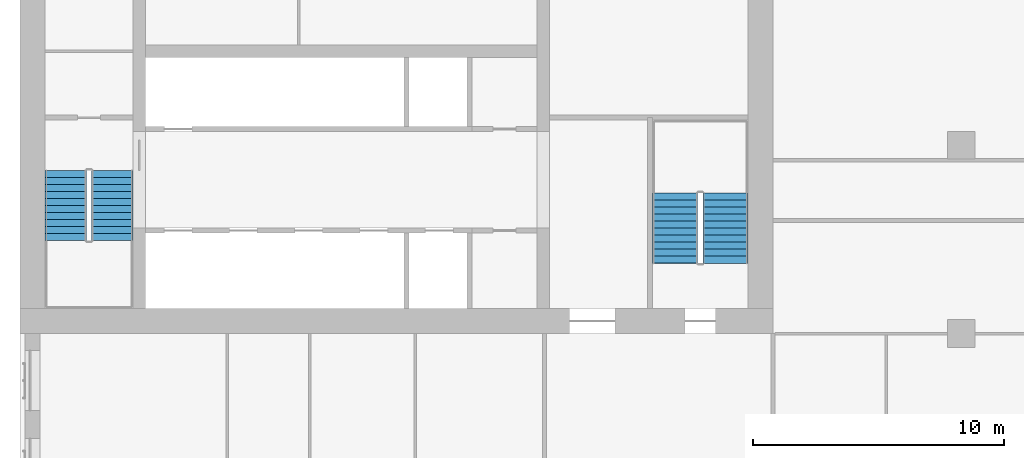
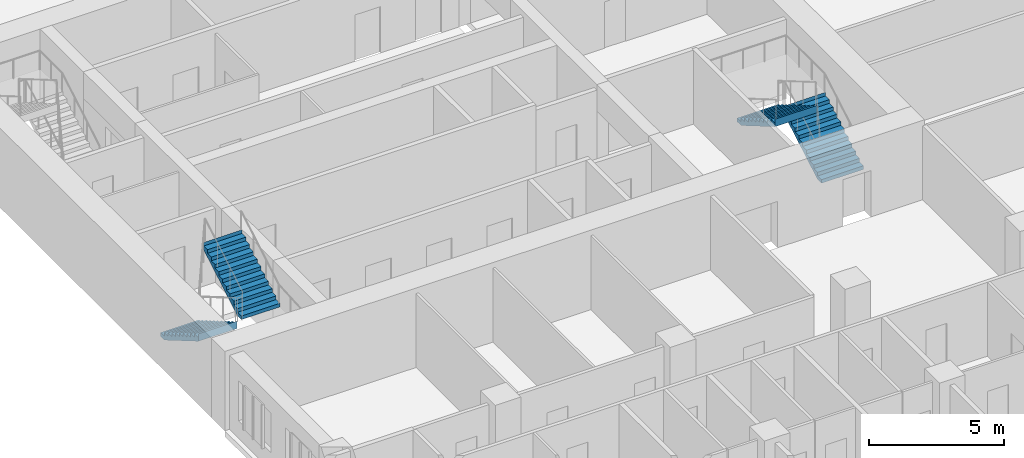
# One storey, part 13 of 15: 4 stair flights, 2 elements without a shape of their own.
"""IFC4 building model written with IfcOpenShell, lengths in metres."""

from ifc_helpers import new_model, si_unit, direction, frame, origin, place, context, subcontext, project, spatial, polyline, outline, extrude, material, type_object, element, aggregate, save


model = new_model("IFC4")

# Units and contexts
model_context = context("Model", 3, precision=1e-05, world=origin(), true_north=direction((0.0, 1.0)))
body_context = subcontext(model_context, "Body", "Model", "MODEL_VIEW")
ifc_project = project(units=[si_unit("LENGTHUNIT", "METRE"), si_unit("AREAUNIT", "SQUARE_METRE"), si_unit("VOLUMEUNIT", "CUBIC_METRE"), si_unit("PLANEANGLEUNIT", "RADIAN"), si_unit("MASSUNIT", "GRAM", prefix="KILO")], contexts=[model_context])

# Site, building, storey
site_placement = place(None, origin())
site = spatial("IfcSite", under=ifc_project, at=site_placement, CompositionType="ELEMENT")
building_placement = place(site_placement, origin())
building = spatial("IfcBuilding", under=site, at=building_placement, Name="Tamorin Gate", CompositionType="ELEMENT")
storey_placement = place(building_placement, frame((0.0, 0.0, 82.699951171875)))
storey = spatial("IfcBuildingStorey", under=building, at=storey_placement, Name="L19", CompositionType="ELEMENT", Elevation=82.699951171875)

# Stair, stair flights
ifc_material = material(Name="Concrete C40/50", Category="concrete")
stair_type = type_object("IfcStairType", Name="Exit stair", PredefinedType="HALF_TURN_STAIR", material=ifc_material)
stair_1_placement = place(storey_placement, origin())
stair_1 = element("IfcStair", 1, at=stair_1_placement, inside=storey, type_object=stair_type, Name="L19 stair ST1", PredefinedType="HALF_TURN_STAIR")
stair_flight_type = type_object("IfcStairFlightType", Name="Exit stair flight", PredefinedType="STRAIGHT", material=ifc_material)
stair_flight_1_placement = place(storey_placement, frame((31.824951171875, 66.5, 0.0), z_axis=(0.0, 0.0, 1.0), x_axis=(0.0, -1.0, 0.0)))
stair_flight_1 = element("IfcStairFlight", 2, at=stair_flight_1_placement, type_object=stair_flight_type, Name="ST1 flight 1", NumberOfRisers=11, NumberOfTreads=10, PredefinedType="STRAIGHT", RiserHeight=0.163636364, TreadLength=0.28, context=body_context, shape_type="SweptSolid", body=[
    extrude(outline(polyline([(-0.00048828125, 0.0), (-0.00048828125, 0.001708984375), (-0.00048828125, 0.003173828125), (-0.00048828125, 0.0048828125), (-0.00048828125, 0.006591796875), (-0.00048828125, 0.008056640625), (-0.00048828125, 0.009765625), (-0.00048828125, 0.01123046875), (-0.00048828125, 0.012939453125), (-0.00048828125, 0.0146484375), (-0.00048828125, 0.01611328125), (-0.00048828125, 0.017822265625), (-0.00048828125, 0.01953125), (-0.00048828125, 0.02099609375), (-0.00048828125, 0.022705078125), (-0.00048828125, 0.0244140625), (-0.00048828125, 0.02587890625), (-0.00048828125, 0.027587890625), (-0.00048828125, 0.029052734375), (-0.00048828125, 0.03076171875), (-0.00048828125, 0.032470703125), (-0.00048828125, 0.033935546875), (-0.00048828125, 0.03564453125), (-0.00048828125, 0.037353515625), (-0.00048828125, 0.038818359375), (-0.00048828125, 0.04052734375), (-0.00048828125, 0.042236328125), (-0.00048828125, 0.043701171875), (-0.00048828125, 0.04541015625), (-0.00048828125, 0.046875), (-0.00048828125, 0.048583984375), (-0.00048828125, 0.05029296875), (-0.00048828125, 0.0517578125), (-0.00048828125, 0.053466796875), (-0.00048828125, 0.05517578125), (-0.00048828125, 0.056640625), (-0.00048828125, 0.058349609375), (-0.00048828125, 0.06005859375), (-0.00048828125, 0.0615234375), (-0.00048828125, 0.063232421875), (-0.00048828125, 0.064697265625), (-0.00048828125, 0.06640625), (-0.00048828125, 0.068115234375), (-0.00048828125, 0.069580078125), (-0.00048828125, 0.0712890625), (-0.00048828125, 0.072998046875), (-0.00048828125, 0.074462890625), (-0.00048828125, 0.076171875), (-0.00048828125, 0.077880859375), (-0.00048828125, 0.079345703125), (-0.00048828125, 0.0810546875), (-0.00048828125, 0.08251953125), (-0.00048828125, 0.084228515625), (-0.00048828125, 0.0859375), (-0.00048828125, 0.08740234375), (-0.00048828125, 0.089111328125), (-0.00048828125, 0.0908203125), (-0.00048828125, 0.09228515625), (-0.00048828125, 0.093994140625), (-0.00048828125, 0.095703125), (-0.00048828125, 0.09716796875), (-0.00048828125, 0.098876953125), (-0.00048828125, 0.100341796875), (-0.00048828125, 0.10205078125), (-0.00048828125, 0.103759765625), (-0.00048828125, 0.105224609375), (-0.00048828125, 0.10693359375), (-0.00048828125, 0.108642578125), (-0.00048828125, 0.110107421875), (-0.00048828125, 0.11181640625), (-0.00048828125, 0.113525390625), (-0.00048828125, 0.114990234375), (-0.00048828125, 0.11669921875), (-0.00048828125, 0.1181640625), (-0.00048828125, 0.119873046875), (-0.00048828125, 0.12158203125), (-0.00048828125, 0.123046875), (-0.00048828125, 0.124755859375), (-0.00048828125, 0.12646484375), (-0.00048828125, 0.1279296875), (-0.00048828125, 0.129638671875), (-0.00048828125, 0.13134765625), (-0.00048828125, 0.1328125), (-0.00048828125, 0.134521484375), (-0.00048828125, 0.135986328125), (-0.00048828125, 0.1376953125), (-0.00048828125, 0.139404296875), (-0.00048828125, 0.140869140625), (-0.00048828125, 0.142578125), (-0.00048828125, 0.144287109375), (-0.00048828125, 0.145751953125), (-0.00048828125, 0.1474609375), (-0.00048828125, 0.149169921875), (-0.00048828125, 0.150634765625), (-0.00048828125, 0.15234375), (-0.00048828125, 0.15380859375), (-0.00048828125, 0.155517578125), (-0.00048828125, 0.1572265625), (-0.00048828125, 0.15869140625), (-0.00048828125, 0.160400390625), (-0.00048828125, 0.162109375), (-0.00048828125, 0.16357421875), (0.280029296875, 0.16357421875), (0.280029296875, 0.327392578125), (0.56005859375, 0.327392578125), (0.56005859375, 0.490966796875), (0.840087890625, 0.490966796875), (0.840087890625, 0.654541015625), (1.1201171875, 0.654541015625), (1.1201171875, 0.818115234375), (1.39990234375, 0.818115234375), (1.39990234375, 0.98193359375), (1.679931640625, 0.98193359375), (1.679931640625, 1.1455078125), (1.9599609375, 1.1455078125), (1.9599609375, 1.30908203125), (2.239990234375, 1.30908203125), (2.239990234375, 1.47265625), (2.52001953125, 1.47265625), (2.52001953125, 1.636474609375), (2.800048828125, 1.636474609375), (2.800048828125, 1.800048828125), (2.800537109375, 1.800048828125), (2.800537109375, 1.796630859375), (2.800537109375, 1.793212890625), (2.800537109375, 1.7900390625), (2.800537109375, 1.78662109375), (2.800537109375, 1.783203125), (2.800537109375, 1.780029296875), (2.800537109375, 1.776611328125), (2.800537109375, 1.773193359375), (2.800537109375, 1.77001953125), (2.800537109375, 1.7666015625), (2.800537109375, 1.76318359375), (2.800537109375, 1.760009765625), (2.800537109375, 1.756591796875), (2.800537109375, 1.753173828125), (2.800537109375, 1.75), (2.800537109375, 1.74658203125), (2.800537109375, 1.7431640625), (2.800537109375, 1.739990234375), (2.800537109375, 1.736572265625), (2.800537109375, 1.733154296875), (2.800537109375, 1.72998046875), (2.800537109375, 1.7265625), (2.800537109375, 1.72314453125), (2.800537109375, 1.719970703125), (2.800537109375, 1.716552734375), (2.800537109375, 1.713134765625), (2.800537109375, 1.7099609375), (2.800537109375, 1.70654296875), (2.800537109375, 1.703125), (2.800537109375, 1.69970703125), (2.800537109375, 1.696533203125), (2.800537109375, 1.693115234375), (2.800537109375, 1.689697265625), (2.800537109375, 1.6865234375), (2.800537109375, 1.68310546875), (2.800537109375, 1.6796875), (2.800537109375, 1.676513671875), (2.800537109375, 1.673095703125), (2.800537109375, 1.669677734375), (2.800537109375, 1.66650390625), (2.800537109375, 1.6630859375), (2.800537109375, 1.65966796875), (2.800537109375, 1.656494140625), (2.800537109375, 1.653076171875), (2.800537109375, 1.649658203125), (2.800537109375, 1.646484375), (2.800537109375, 1.64306640625), (2.800537109375, 1.6396484375), (2.800537109375, 1.636474609375), (2.800537109375, 1.633056640625), (2.800537109375, 1.629638671875), (2.800537109375, 1.62646484375), (2.800537109375, 1.623046875), (2.800537109375, 1.61962890625), (2.800537109375, 1.616455078125), (2.800537109375, 1.613037109375), (2.800537109375, 1.609619140625), (2.800537109375, 1.6064453125), (2.800537109375, 1.60302734375), (2.800537109375, 1.599609375), (2.800537109375, 1.59619140625), (2.800537109375, 1.593017578125), (2.800537109375, 1.589599609375), (2.800537109375, 1.586181640625), (2.800537109375, 1.5830078125), (2.800537109375, 1.57958984375), (2.800537109375, 1.576171875), (2.800537109375, 1.572998046875), (2.800537109375, 1.569580078125), (2.800537109375, 1.566162109375), (2.800537109375, 1.56298828125), (2.800537109375, 1.5595703125), (2.800537109375, 1.55615234375), (2.800537109375, 1.552978515625), (2.800537109375, 1.549560546875), (2.800537109375, 1.546142578125), (2.800537109375, 1.54296875), (2.800537109375, 1.53955078125), (2.800537109375, 1.5361328125), (2.800537109375, 1.532958984375), (2.800537109375, 1.529541015625), (2.800537109375, 1.526123046875), (2.800537109375, 1.52294921875), (2.800537109375, 1.51953125), (2.800537109375, 1.51611328125), (2.800537109375, 1.512939453125), (2.800537109375, 1.509521484375), (2.800537109375, 1.506103515625), (2.800537109375, 1.5029296875), (2.800537109375, 1.49951171875), (2.800537109375, 1.49609375), (2.800537109375, 1.49267578125), (2.800537109375, 1.489501953125), (2.800537109375, 1.486083984375), (2.800537109375, 1.482666015625), (2.800537109375, 1.4794921875), (2.800537109375, 1.47607421875), (2.800537109375, 1.47265625), (2.800537109375, 1.469482421875), (2.800537109375, 1.466064453125), (2.800537109375, 1.462646484375), (2.800048828125, 1.462646484375), (0.297119140625, 0.0), (-0.00048828125, 0.0)])), frame((0.0, 0.824951171875, 0.0), z_axis=(0.0, -1.0, 0.0), x_axis=(1.0, 0.0, 0.0)), (0.0, 0.0, 1.0), 1.64990234375),
])
stair_flight_2_placement = place(storey_placement, frame((33.675048828125, 63.699951171875, 1.800048828125), z_axis=(0.0, 0.0, 1.0), x_axis=(0.0, 1.0, 0.0)))
stair_flight_2 = element("IfcStairFlight", 3, at=stair_flight_2_placement, type_object=stair_flight_type, Name="ST1 flight 2", NumberOfRisers=11, NumberOfTreads=10, PredefinedType="STRAIGHT", RiserHeight=0.163636364, TreadLength=0.28, context=body_context, shape_type="SweptSolid", body=[
    extrude(outline(polyline([(-0.00048828125, 0.0), (-0.00048828125, 0.001708984375), (-0.00048828125, 0.003173828125), (-0.00048828125, 0.0048828125), (-0.00048828125, 0.006591796875), (-0.00048828125, 0.008056640625), (-0.00048828125, 0.009765625), (-0.00048828125, 0.01123046875), (-0.00048828125, 0.012939453125), (-0.00048828125, 0.0146484375), (-0.00048828125, 0.01611328125), (-0.00048828125, 0.017822265625), (-0.00048828125, 0.01953125), (-0.00048828125, 0.02099609375), (-0.00048828125, 0.022705078125), (-0.00048828125, 0.0244140625), (-0.00048828125, 0.02587890625), (-0.00048828125, 0.027587890625), (-0.00048828125, 0.029052734375), (-0.00048828125, 0.03076171875), (-0.00048828125, 0.032470703125), (-0.00048828125, 0.033935546875), (-0.00048828125, 0.03564453125), (-0.00048828125, 0.037353515625), (-0.00048828125, 0.038818359375), (-0.00048828125, 0.04052734375), (-0.00048828125, 0.042236328125), (-0.00048828125, 0.043701171875), (-0.00048828125, 0.04541015625), (-0.00048828125, 0.046875), (-0.00048828125, 0.048583984375), (-0.00048828125, 0.05029296875), (-0.00048828125, 0.0517578125), (-0.00048828125, 0.053466796875), (-0.00048828125, 0.05517578125), (-0.00048828125, 0.056640625), (-0.00048828125, 0.058349609375), (-0.00048828125, 0.06005859375), (-0.00048828125, 0.0615234375), (-0.00048828125, 0.063232421875), (-0.00048828125, 0.064697265625), (-0.00048828125, 0.06640625), (-0.00048828125, 0.068115234375), (-0.00048828125, 0.069580078125), (-0.00048828125, 0.0712890625), (-0.00048828125, 0.072998046875), (-0.00048828125, 0.074462890625), (-0.00048828125, 0.076171875), (-0.00048828125, 0.077880859375), (-0.00048828125, 0.079345703125), (-0.00048828125, 0.0810546875), (-0.00048828125, 0.08251953125), (-0.00048828125, 0.084228515625), (-0.00048828125, 0.0859375), (-0.00048828125, 0.08740234375), (-0.00048828125, 0.089111328125), (-0.00048828125, 0.0908203125), (-0.00048828125, 0.09228515625), (-0.00048828125, 0.093994140625), (-0.00048828125, 0.095703125), (-0.00048828125, 0.09716796875), (-0.00048828125, 0.098876953125), (-0.00048828125, 0.100341796875), (-0.00048828125, 0.10205078125), (-0.00048828125, 0.103759765625), (-0.00048828125, 0.105224609375), (-0.00048828125, 0.10693359375), (-0.00048828125, 0.108642578125), (-0.00048828125, 0.110107421875), (-0.00048828125, 0.11181640625), (-0.00048828125, 0.113525390625), (-0.00048828125, 0.114990234375), (-0.00048828125, 0.11669921875), (-0.00048828125, 0.1181640625), (-0.00048828125, 0.119873046875), (-0.00048828125, 0.12158203125), (-0.00048828125, 0.123046875), (-0.00048828125, 0.124755859375), (-0.00048828125, 0.12646484375), (-0.00048828125, 0.1279296875), (-0.00048828125, 0.129638671875), (-0.00048828125, 0.13134765625), (-0.00048828125, 0.1328125), (-0.00048828125, 0.134521484375), (-0.00048828125, 0.135986328125), (-0.00048828125, 0.1376953125), (-0.00048828125, 0.139404296875), (-0.00048828125, 0.140869140625), (-0.00048828125, 0.142578125), (-0.00048828125, 0.144287109375), (-0.00048828125, 0.145751953125), (-0.00048828125, 0.1474609375), (-0.00048828125, 0.149169921875), (-0.00048828125, 0.150634765625), (-0.00048828125, 0.15234375), (-0.00048828125, 0.15380859375), (-0.00048828125, 0.155517578125), (-0.00048828125, 0.1572265625), (-0.00048828125, 0.15869140625), (-0.00048828125, 0.160400390625), (-0.00048828125, 0.162109375), (-0.00048828125, 0.16357421875), (0.280029296875, 0.16357421875), (0.280029296875, 0.327392578125), (0.56005859375, 0.327392578125), (0.56005859375, 0.490966796875), (0.840087890625, 0.490966796875), (0.840087890625, 0.654541015625), (1.1201171875, 0.654541015625), (1.1201171875, 0.818115234375), (1.39990234375, 0.818115234375), (1.39990234375, 0.98193359375), (1.679931640625, 0.98193359375), (1.679931640625, 1.1455078125), (1.9599609375, 1.1455078125), (1.9599609375, 1.30908203125), (2.239990234375, 1.30908203125), (2.239990234375, 1.47265625), (2.52001953125, 1.47265625), (2.52001953125, 1.636474609375), (2.800048828125, 1.636474609375), (2.800048828125, 1.800048828125), (2.800537109375, 1.800048828125), (2.800537109375, 1.796630859375), (2.800537109375, 1.793212890625), (2.800537109375, 1.7900390625), (2.800537109375, 1.78662109375), (2.800537109375, 1.783203125), (2.800537109375, 1.780029296875), (2.800537109375, 1.776611328125), (2.800537109375, 1.773193359375), (2.800537109375, 1.77001953125), (2.800537109375, 1.7666015625), (2.800537109375, 1.76318359375), (2.800537109375, 1.760009765625), (2.800537109375, 1.756591796875), (2.800537109375, 1.753173828125), (2.800537109375, 1.75), (2.800537109375, 1.74658203125), (2.800537109375, 1.7431640625), (2.800537109375, 1.739990234375), (2.800537109375, 1.736572265625), (2.800537109375, 1.733154296875), (2.800537109375, 1.72998046875), (2.800537109375, 1.7265625), (2.800537109375, 1.72314453125), (2.800537109375, 1.719970703125), (2.800537109375, 1.716552734375), (2.800537109375, 1.713134765625), (2.800537109375, 1.7099609375), (2.800537109375, 1.70654296875), (2.800537109375, 1.703125), (2.800537109375, 1.69970703125), (2.800537109375, 1.696533203125), (2.800537109375, 1.693115234375), (2.800537109375, 1.689697265625), (2.800537109375, 1.6865234375), (2.800537109375, 1.68310546875), (2.800537109375, 1.6796875), (2.800537109375, 1.676513671875), (2.800537109375, 1.673095703125), (2.800537109375, 1.669677734375), (2.800537109375, 1.66650390625), (2.800537109375, 1.6630859375), (2.800537109375, 1.65966796875), (2.800537109375, 1.656494140625), (2.800537109375, 1.653076171875), (2.800537109375, 1.649658203125), (2.800537109375, 1.646484375), (2.800537109375, 1.64306640625), (2.800537109375, 1.6396484375), (2.800537109375, 1.636474609375), (2.800537109375, 1.633056640625), (2.800537109375, 1.629638671875), (2.800537109375, 1.62646484375), (2.800537109375, 1.623046875), (2.800537109375, 1.61962890625), (2.800537109375, 1.616455078125), (2.800537109375, 1.613037109375), (2.800537109375, 1.609619140625), (2.800537109375, 1.6064453125), (2.800537109375, 1.60302734375), (2.800537109375, 1.599609375), (2.800537109375, 1.59619140625), (2.800537109375, 1.593017578125), (2.800537109375, 1.589599609375), (2.800537109375, 1.586181640625), (2.800537109375, 1.5830078125), (2.800537109375, 1.57958984375), (2.800537109375, 1.576171875), (2.800537109375, 1.572998046875), (2.800537109375, 1.569580078125), (2.800537109375, 1.566162109375), (2.800537109375, 1.56298828125), (2.800537109375, 1.5595703125), (2.800537109375, 1.55615234375), (2.800537109375, 1.552978515625), (2.800537109375, 1.549560546875), (2.800537109375, 1.546142578125), (2.800537109375, 1.54296875), (2.800537109375, 1.53955078125), (2.800537109375, 1.5361328125), (2.800537109375, 1.532958984375), (2.800537109375, 1.529541015625), (2.800537109375, 1.526123046875), (2.800537109375, 1.52294921875), (2.800537109375, 1.51953125), (2.800537109375, 1.51611328125), (2.800537109375, 1.512939453125), (2.800537109375, 1.509521484375), (2.800537109375, 1.506103515625), (2.800537109375, 1.5029296875), (2.800537109375, 1.49951171875), (2.800537109375, 1.49609375), (2.800537109375, 1.49267578125), (2.800537109375, 1.489501953125), (2.800537109375, 1.486083984375), (2.800537109375, 1.482666015625), (2.800537109375, 1.4794921875), (2.800537109375, 1.47607421875), (2.800537109375, 1.47265625), (2.800537109375, 1.469482421875), (2.800537109375, 1.466064453125), (2.800537109375, 1.462646484375), (2.800048828125, 1.462646484375), (0.297119140625, 0.0), (-0.00048828125, 0.0)])), frame((0.0, 0.824951171875, 0.0), z_axis=(0.0, -1.0, 0.0), x_axis=(1.0, 0.0, 0.0)), (0.0, 0.0, 1.0), 1.64990234375),
])
aggregate(stair_1, [stair_flight_1, stair_flight_2])

stair_2_placement = place(storey_placement, origin())
stair_2 = element("IfcStair", 4, at=stair_2_placement, inside=storey, type_object=stair_type, Name="L19 stair ST3", PredefinedType="HALF_TURN_STAIR")
stair_flight_3_placement = place(storey_placement, frame((58.10009765625, 62.800048828125, 0.0), z_axis=(0.0, 0.0, 1.0), x_axis=(0.0, 1.0, 0.0)))
stair_flight_3 = element("IfcStairFlight", 5, at=stair_flight_3_placement, type_object=stair_flight_type, Name="ST3 flight 1", NumberOfRisers=11, NumberOfTreads=10, PredefinedType="STRAIGHT", RiserHeight=0.163636364, TreadLength=0.28, context=body_context, shape_type="SweptSolid", body=[
    extrude(outline(polyline([(-0.00048828125, 0.0), (-0.00048828125, 0.001708984375), (-0.00048828125, 0.003173828125), (-0.00048828125, 0.0048828125), (-0.00048828125, 0.006591796875), (-0.00048828125, 0.008056640625), (-0.00048828125, 0.009765625), (-0.00048828125, 0.01123046875), (-0.00048828125, 0.012939453125), (-0.00048828125, 0.0146484375), (-0.00048828125, 0.01611328125), (-0.00048828125, 0.017822265625), (-0.00048828125, 0.01953125), (-0.00048828125, 0.02099609375), (-0.00048828125, 0.022705078125), (-0.00048828125, 0.0244140625), (-0.00048828125, 0.02587890625), (-0.00048828125, 0.027587890625), (-0.00048828125, 0.029052734375), (-0.00048828125, 0.03076171875), (-0.00048828125, 0.032470703125), (-0.00048828125, 0.033935546875), (-0.00048828125, 0.03564453125), (-0.00048828125, 0.037353515625), (-0.00048828125, 0.038818359375), (-0.00048828125, 0.04052734375), (-0.00048828125, 0.042236328125), (-0.00048828125, 0.043701171875), (-0.00048828125, 0.04541015625), (-0.00048828125, 0.046875), (-0.00048828125, 0.048583984375), (-0.00048828125, 0.05029296875), (-0.00048828125, 0.0517578125), (-0.00048828125, 0.053466796875), (-0.00048828125, 0.05517578125), (-0.00048828125, 0.056640625), (-0.00048828125, 0.058349609375), (-0.00048828125, 0.06005859375), (-0.00048828125, 0.0615234375), (-0.00048828125, 0.063232421875), (-0.00048828125, 0.064697265625), (-0.00048828125, 0.06640625), (-0.00048828125, 0.068115234375), (-0.00048828125, 0.069580078125), (-0.00048828125, 0.0712890625), (-0.00048828125, 0.072998046875), (-0.00048828125, 0.074462890625), (-0.00048828125, 0.076171875), (-0.00048828125, 0.077880859375), (-0.00048828125, 0.079345703125), (-0.00048828125, 0.0810546875), (-0.00048828125, 0.08251953125), (-0.00048828125, 0.084228515625), (-0.00048828125, 0.0859375), (-0.00048828125, 0.08740234375), (-0.00048828125, 0.089111328125), (-0.00048828125, 0.0908203125), (-0.00048828125, 0.09228515625), (-0.00048828125, 0.093994140625), (-0.00048828125, 0.095703125), (-0.00048828125, 0.09716796875), (-0.00048828125, 0.098876953125), (-0.00048828125, 0.100341796875), (-0.00048828125, 0.10205078125), (-0.00048828125, 0.103759765625), (-0.00048828125, 0.105224609375), (-0.00048828125, 0.10693359375), (-0.00048828125, 0.108642578125), (-0.00048828125, 0.110107421875), (-0.00048828125, 0.11181640625), (-0.00048828125, 0.113525390625), (-0.00048828125, 0.114990234375), (-0.00048828125, 0.11669921875), (-0.00048828125, 0.1181640625), (-0.00048828125, 0.119873046875), (-0.00048828125, 0.12158203125), (-0.00048828125, 0.123046875), (-0.00048828125, 0.124755859375), (-0.00048828125, 0.12646484375), (-0.00048828125, 0.1279296875), (-0.00048828125, 0.129638671875), (-0.00048828125, 0.13134765625), (-0.00048828125, 0.1328125), (-0.00048828125, 0.134521484375), (-0.00048828125, 0.135986328125), (-0.00048828125, 0.1376953125), (-0.00048828125, 0.139404296875), (-0.00048828125, 0.140869140625), (-0.00048828125, 0.142578125), (-0.00048828125, 0.144287109375), (-0.00048828125, 0.145751953125), (-0.00048828125, 0.1474609375), (-0.00048828125, 0.149169921875), (-0.00048828125, 0.150634765625), (-0.00048828125, 0.15234375), (-0.00048828125, 0.15380859375), (-0.00048828125, 0.155517578125), (-0.00048828125, 0.1572265625), (-0.00048828125, 0.15869140625), (-0.00048828125, 0.160400390625), (-0.00048828125, 0.162109375), (-0.00048828125, 0.16357421875), (0.280029296875, 0.16357421875), (0.280029296875, 0.327392578125), (0.56005859375, 0.327392578125), (0.56005859375, 0.490966796875), (0.840087890625, 0.490966796875), (0.840087890625, 0.654541015625), (1.1201171875, 0.654541015625), (1.1201171875, 0.818115234375), (1.39990234375, 0.818115234375), (1.39990234375, 0.98193359375), (1.679931640625, 0.98193359375), (1.679931640625, 1.1455078125), (1.9599609375, 1.1455078125), (1.9599609375, 1.30908203125), (2.239990234375, 1.30908203125), (2.239990234375, 1.47265625), (2.52001953125, 1.47265625), (2.52001953125, 1.636474609375), (2.800048828125, 1.636474609375), (2.800048828125, 1.800048828125), (2.800537109375, 1.800048828125), (2.800537109375, 1.796630859375), (2.800537109375, 1.793212890625), (2.800537109375, 1.7900390625), (2.800537109375, 1.78662109375), (2.800537109375, 1.783203125), (2.800537109375, 1.780029296875), (2.800537109375, 1.776611328125), (2.800537109375, 1.773193359375), (2.800537109375, 1.77001953125), (2.800537109375, 1.7666015625), (2.800537109375, 1.76318359375), (2.800537109375, 1.760009765625), (2.800537109375, 1.756591796875), (2.800537109375, 1.753173828125), (2.800537109375, 1.75), (2.800537109375, 1.74658203125), (2.800537109375, 1.7431640625), (2.800537109375, 1.739990234375), (2.800537109375, 1.736572265625), (2.800537109375, 1.733154296875), (2.800537109375, 1.72998046875), (2.800537109375, 1.7265625), (2.800537109375, 1.72314453125), (2.800537109375, 1.719970703125), (2.800537109375, 1.716552734375), (2.800537109375, 1.713134765625), (2.800537109375, 1.7099609375), (2.800537109375, 1.70654296875), (2.800537109375, 1.703125), (2.800537109375, 1.69970703125), (2.800537109375, 1.696533203125), (2.800537109375, 1.693115234375), (2.800537109375, 1.689697265625), (2.800537109375, 1.6865234375), (2.800537109375, 1.68310546875), (2.800537109375, 1.6796875), (2.800537109375, 1.676513671875), (2.800537109375, 1.673095703125), (2.800537109375, 1.669677734375), (2.800537109375, 1.66650390625), (2.800537109375, 1.6630859375), (2.800537109375, 1.65966796875), (2.800537109375, 1.656494140625), (2.800537109375, 1.653076171875), (2.800537109375, 1.649658203125), (2.800537109375, 1.646484375), (2.800537109375, 1.64306640625), (2.800537109375, 1.6396484375), (2.800537109375, 1.636474609375), (2.800537109375, 1.633056640625), (2.800537109375, 1.629638671875), (2.800537109375, 1.62646484375), (2.800537109375, 1.623046875), (2.800537109375, 1.61962890625), (2.800537109375, 1.616455078125), (2.800537109375, 1.613037109375), (2.800537109375, 1.609619140625), (2.800537109375, 1.6064453125), (2.800537109375, 1.60302734375), (2.800537109375, 1.599609375), (2.800537109375, 1.59619140625), (2.800537109375, 1.593017578125), (2.800537109375, 1.589599609375), (2.800537109375, 1.586181640625), (2.800537109375, 1.5830078125), (2.800537109375, 1.57958984375), (2.800537109375, 1.576171875), (2.800537109375, 1.572998046875), (2.800537109375, 1.569580078125), (2.800537109375, 1.566162109375), (2.800537109375, 1.56298828125), (2.800537109375, 1.5595703125), (2.800537109375, 1.55615234375), (2.800537109375, 1.552978515625), (2.800537109375, 1.549560546875), (2.800537109375, 1.546142578125), (2.800537109375, 1.54296875), (2.800537109375, 1.53955078125), (2.800537109375, 1.5361328125), (2.800537109375, 1.532958984375), (2.800537109375, 1.529541015625), (2.800537109375, 1.526123046875), (2.800537109375, 1.52294921875), (2.800537109375, 1.51953125), (2.800537109375, 1.51611328125), (2.800537109375, 1.512939453125), (2.800537109375, 1.509521484375), (2.800537109375, 1.506103515625), (2.800537109375, 1.5029296875), (2.800537109375, 1.49951171875), (2.800537109375, 1.49609375), (2.800537109375, 1.49267578125), (2.800537109375, 1.489501953125), (2.800537109375, 1.486083984375), (2.800537109375, 1.482666015625), (2.800537109375, 1.4794921875), (2.800537109375, 1.47607421875), (2.800537109375, 1.47265625), (2.800537109375, 1.469482421875), (2.800537109375, 1.466064453125), (2.800537109375, 1.462646484375), (2.800048828125, 1.462646484375), (0.297119140625, 0.0), (-0.00048828125, 0.0)])), frame((0.0, 0.89990234375, 0.0), z_axis=(0.0, -1.0, 0.0), x_axis=(1.0, 0.0, 0.0)), (0.0, 0.0, 1.0), 1.800048828125),
])
stair_flight_4_placement = place(storey_placement, frame((56.10009765625, 65.60009765625, 1.800048828125), z_axis=(0.0, 0.0, 1.0), x_axis=(0.0, -1.0, 0.0)))
stair_flight_4 = element("IfcStairFlight", 6, at=stair_flight_4_placement, type_object=stair_flight_type, Name="ST3 flight 2", NumberOfRisers=11, NumberOfTreads=10, PredefinedType="STRAIGHT", RiserHeight=0.163636364, TreadLength=0.28, context=body_context, shape_type="SweptSolid", body=[
    extrude(outline(polyline([(-0.00048828125, 0.0), (-0.00048828125, 0.001708984375), (-0.00048828125, 0.003173828125), (-0.00048828125, 0.0048828125), (-0.00048828125, 0.006591796875), (-0.00048828125, 0.008056640625), (-0.00048828125, 0.009765625), (-0.00048828125, 0.01123046875), (-0.00048828125, 0.012939453125), (-0.00048828125, 0.0146484375), (-0.00048828125, 0.01611328125), (-0.00048828125, 0.017822265625), (-0.00048828125, 0.01953125), (-0.00048828125, 0.02099609375), (-0.00048828125, 0.022705078125), (-0.00048828125, 0.0244140625), (-0.00048828125, 0.02587890625), (-0.00048828125, 0.027587890625), (-0.00048828125, 0.029052734375), (-0.00048828125, 0.03076171875), (-0.00048828125, 0.032470703125), (-0.00048828125, 0.033935546875), (-0.00048828125, 0.03564453125), (-0.00048828125, 0.037353515625), (-0.00048828125, 0.038818359375), (-0.00048828125, 0.04052734375), (-0.00048828125, 0.042236328125), (-0.00048828125, 0.043701171875), (-0.00048828125, 0.04541015625), (-0.00048828125, 0.046875), (-0.00048828125, 0.048583984375), (-0.00048828125, 0.05029296875), (-0.00048828125, 0.0517578125), (-0.00048828125, 0.053466796875), (-0.00048828125, 0.05517578125), (-0.00048828125, 0.056640625), (-0.00048828125, 0.058349609375), (-0.00048828125, 0.06005859375), (-0.00048828125, 0.0615234375), (-0.00048828125, 0.063232421875), (-0.00048828125, 0.064697265625), (-0.00048828125, 0.06640625), (-0.00048828125, 0.068115234375), (-0.00048828125, 0.069580078125), (-0.00048828125, 0.0712890625), (-0.00048828125, 0.072998046875), (-0.00048828125, 0.074462890625), (-0.00048828125, 0.076171875), (-0.00048828125, 0.077880859375), (-0.00048828125, 0.079345703125), (-0.00048828125, 0.0810546875), (-0.00048828125, 0.08251953125), (-0.00048828125, 0.084228515625), (-0.00048828125, 0.0859375), (-0.00048828125, 0.08740234375), (-0.00048828125, 0.089111328125), (-0.00048828125, 0.0908203125), (-0.00048828125, 0.09228515625), (-0.00048828125, 0.093994140625), (-0.00048828125, 0.095703125), (-0.00048828125, 0.09716796875), (-0.00048828125, 0.098876953125), (-0.00048828125, 0.100341796875), (-0.00048828125, 0.10205078125), (-0.00048828125, 0.103759765625), (-0.00048828125, 0.105224609375), (-0.00048828125, 0.10693359375), (-0.00048828125, 0.108642578125), (-0.00048828125, 0.110107421875), (-0.00048828125, 0.11181640625), (-0.00048828125, 0.113525390625), (-0.00048828125, 0.114990234375), (-0.00048828125, 0.11669921875), (-0.00048828125, 0.1181640625), (-0.00048828125, 0.119873046875), (-0.00048828125, 0.12158203125), (-0.00048828125, 0.123046875), (-0.00048828125, 0.124755859375), (-0.00048828125, 0.12646484375), (-0.00048828125, 0.1279296875), (-0.00048828125, 0.129638671875), (-0.00048828125, 0.13134765625), (-0.00048828125, 0.1328125), (-0.00048828125, 0.134521484375), (-0.00048828125, 0.135986328125), (-0.00048828125, 0.1376953125), (-0.00048828125, 0.139404296875), (-0.00048828125, 0.140869140625), (-0.00048828125, 0.142578125), (-0.00048828125, 0.144287109375), (-0.00048828125, 0.145751953125), (-0.00048828125, 0.1474609375), (-0.00048828125, 0.149169921875), (-0.00048828125, 0.150634765625), (-0.00048828125, 0.15234375), (-0.00048828125, 0.15380859375), (-0.00048828125, 0.155517578125), (-0.00048828125, 0.1572265625), (-0.00048828125, 0.15869140625), (-0.00048828125, 0.160400390625), (-0.00048828125, 0.162109375), (-0.00048828125, 0.16357421875), (0.280029296875, 0.16357421875), (0.280029296875, 0.327392578125), (0.56005859375, 0.327392578125), (0.56005859375, 0.490966796875), (0.840087890625, 0.490966796875), (0.840087890625, 0.654541015625), (1.1201171875, 0.654541015625), (1.1201171875, 0.818115234375), (1.39990234375, 0.818115234375), (1.39990234375, 0.98193359375), (1.679931640625, 0.98193359375), (1.679931640625, 1.1455078125), (1.9599609375, 1.1455078125), (1.9599609375, 1.30908203125), (2.239990234375, 1.30908203125), (2.239990234375, 1.47265625), (2.52001953125, 1.47265625), (2.52001953125, 1.636474609375), (2.800048828125, 1.636474609375), (2.800048828125, 1.800048828125), (2.800537109375, 1.800048828125), (2.800537109375, 1.796630859375), (2.800537109375, 1.793212890625), (2.800537109375, 1.7900390625), (2.800537109375, 1.78662109375), (2.800537109375, 1.783203125), (2.800537109375, 1.780029296875), (2.800537109375, 1.776611328125), (2.800537109375, 1.773193359375), (2.800537109375, 1.77001953125), (2.800537109375, 1.7666015625), (2.800537109375, 1.76318359375), (2.800537109375, 1.760009765625), (2.800537109375, 1.756591796875), (2.800537109375, 1.753173828125), (2.800537109375, 1.75), (2.800537109375, 1.74658203125), (2.800537109375, 1.7431640625), (2.800537109375, 1.739990234375), (2.800537109375, 1.736572265625), (2.800537109375, 1.733154296875), (2.800537109375, 1.72998046875), (2.800537109375, 1.7265625), (2.800537109375, 1.72314453125), (2.800537109375, 1.719970703125), (2.800537109375, 1.716552734375), (2.800537109375, 1.713134765625), (2.800537109375, 1.7099609375), (2.800537109375, 1.70654296875), (2.800537109375, 1.703125), (2.800537109375, 1.69970703125), (2.800537109375, 1.696533203125), (2.800537109375, 1.693115234375), (2.800537109375, 1.689697265625), (2.800537109375, 1.6865234375), (2.800537109375, 1.68310546875), (2.800537109375, 1.6796875), (2.800537109375, 1.676513671875), (2.800537109375, 1.673095703125), (2.800537109375, 1.669677734375), (2.800537109375, 1.66650390625), (2.800537109375, 1.6630859375), (2.800537109375, 1.65966796875), (2.800537109375, 1.656494140625), (2.800537109375, 1.653076171875), (2.800537109375, 1.649658203125), (2.800537109375, 1.646484375), (2.800537109375, 1.64306640625), (2.800537109375, 1.6396484375), (2.800537109375, 1.636474609375), (2.800537109375, 1.633056640625), (2.800537109375, 1.629638671875), (2.800537109375, 1.62646484375), (2.800537109375, 1.623046875), (2.800537109375, 1.61962890625), (2.800537109375, 1.616455078125), (2.800537109375, 1.613037109375), (2.800537109375, 1.609619140625), (2.800537109375, 1.6064453125), (2.800537109375, 1.60302734375), (2.800537109375, 1.599609375), (2.800537109375, 1.59619140625), (2.800537109375, 1.593017578125), (2.800537109375, 1.589599609375), (2.800537109375, 1.586181640625), (2.800537109375, 1.5830078125), (2.800537109375, 1.57958984375), (2.800537109375, 1.576171875), (2.800537109375, 1.572998046875), (2.800537109375, 1.569580078125), (2.800537109375, 1.566162109375), (2.800537109375, 1.56298828125), (2.800537109375, 1.5595703125), (2.800537109375, 1.55615234375), (2.800537109375, 1.552978515625), (2.800537109375, 1.549560546875), (2.800537109375, 1.546142578125), (2.800537109375, 1.54296875), (2.800537109375, 1.53955078125), (2.800537109375, 1.5361328125), (2.800537109375, 1.532958984375), (2.800537109375, 1.529541015625), (2.800537109375, 1.526123046875), (2.800537109375, 1.52294921875), (2.800537109375, 1.51953125), (2.800537109375, 1.51611328125), (2.800537109375, 1.512939453125), (2.800537109375, 1.509521484375), (2.800537109375, 1.506103515625), (2.800537109375, 1.5029296875), (2.800537109375, 1.49951171875), (2.800537109375, 1.49609375), (2.800537109375, 1.49267578125), (2.800537109375, 1.489501953125), (2.800537109375, 1.486083984375), (2.800537109375, 1.482666015625), (2.800537109375, 1.4794921875), (2.800537109375, 1.47607421875), (2.800537109375, 1.47265625), (2.800537109375, 1.469482421875), (2.800537109375, 1.466064453125), (2.800537109375, 1.462646484375), (2.800048828125, 1.462646484375), (0.297119140625, 0.0), (-0.00048828125, 0.0)])), frame((0.0, 0.89990234375, 0.0), z_axis=(0.0, -1.0, 0.0), x_axis=(1.0, 0.0, 0.0)), (0.0, 0.0, 1.0), 1.800048828125),
])
aggregate(stair_2, [stair_flight_3, stair_flight_4])

save(model, "model.ifc")
